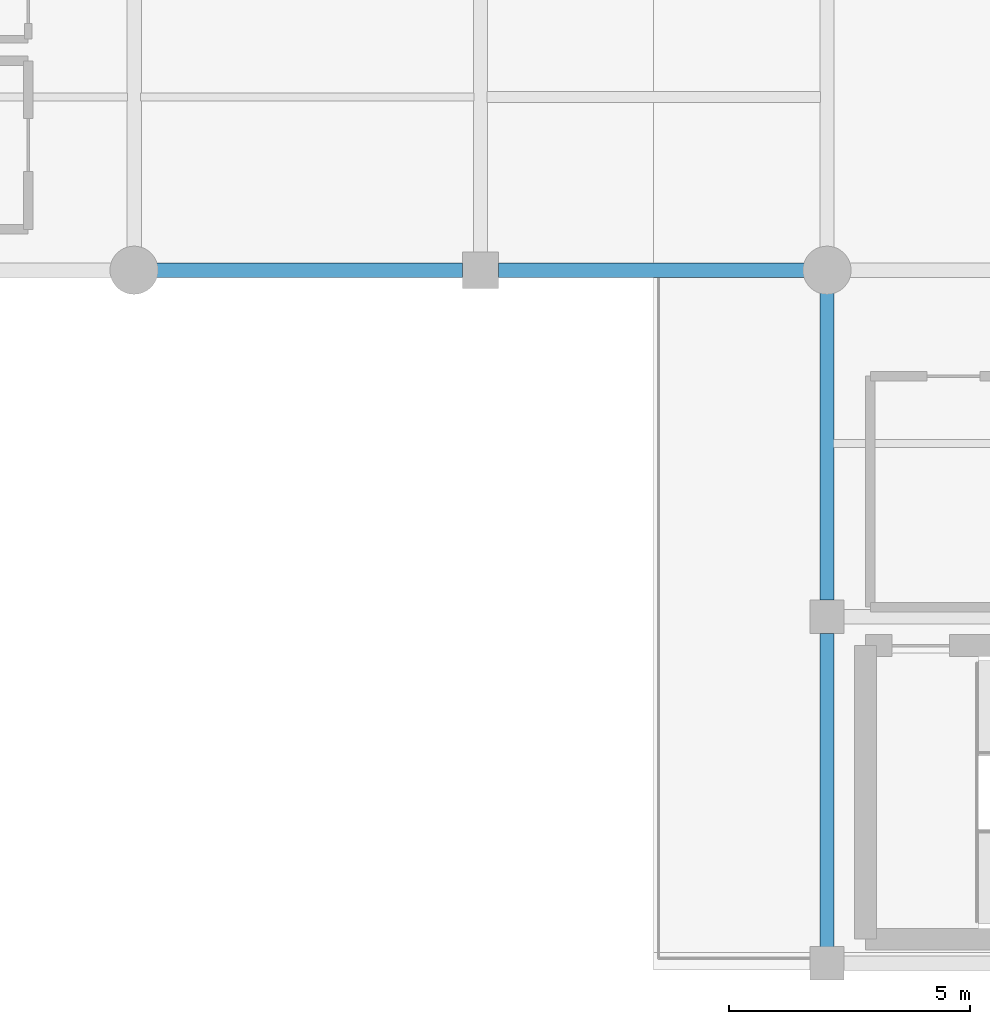
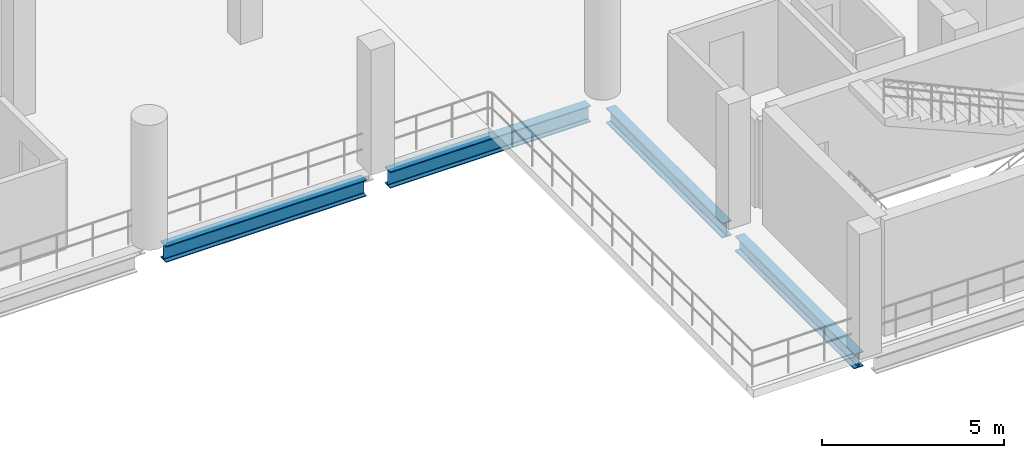
# One storey, part 19 of 130: 4 beams.
"""IFC4 building model written with IfcOpenShell, lengths in metres."""

from ifc_helpers import new_model, si_unit, direction, frame, origin, origin_2d, place, context, subcontext, project, spatial, i_section, extrude, material, material_profile, profile_set, type_object, element, save


model = new_model("IFC4")

# Units and contexts
model_context = context("Model", 3, precision=1e-05, world=origin(), true_north=direction((0.0, 1.0)))
body_context = subcontext(model_context, "Body", "Model", "MODEL_VIEW")
ifc_project = project(units=[si_unit("LENGTHUNIT", "METRE"), si_unit("AREAUNIT", "SQUARE_METRE"), si_unit("VOLUMEUNIT", "CUBIC_METRE"), si_unit("PLANEANGLEUNIT", "RADIAN"), si_unit("MASSUNIT", "GRAM", prefix="KILO")], contexts=[model_context])

# Site, building, storey
site_placement = place(None, origin())
site = spatial("IfcSite", under=ifc_project, at=site_placement, CompositionType="ELEMENT")
building_placement = place(site_placement, origin())
building = spatial("IfcBuilding", under=site, at=building_placement, Name="Qandorah Velis Arena", CompositionType="ELEMENT")
storey_placement = place(building_placement, frame((0.0, 0.0, 9.60009765625)))
storey = spatial("IfcBuildingStorey", under=building, at=storey_placement, Name="L02", CompositionType="ELEMENT", Elevation=9.60009765625)

# Beams
ifc_material = material(Name="Steel S355", Category="steel")
ifc_material_profile_1 = material_profile(ifc_material, i_section(OverallWidth=0.300048828125, OverallDepth=0.5, WebThickness=0.014404296875, FlangeThickness=0.028076171875, FilletRadius=0.027099609375, at=origin_2d()), Name="HEB 500")
ifc_profile_set_1 = profile_set([ifc_material_profile_1], Name="Steel S355")
beam_type_1 = type_object("IfcBeamType", Name="STR-BM-HEB500", PredefinedType="BEAM", material=ifc_profile_set_1)
beam_1_placement = place(storey_placement, frame((28.800048828125, 0.300048828125, -0.530029296875), z_axis=(0.0, 1.0, 0.0), x_axis=(-1.0, 0.0, 0.0)))
element("IfcBeam", 1, at=beam_1_placement, inside=storey, type_object=beam_type_1, Name="Primary floor girder L02 Y-240", PredefinedType="BEAM", context=body_context, shape_type="SweptSolid", body=[
    extrude(i_section(OverallWidth=0.300048828125, OverallDepth=0.5, WebThickness=0.014404296875, FlangeThickness=0.028076171875, FilletRadius=0.027099609375, at=origin_2d()), origin(), (0.0, 0.0, 1.0), 6.550048828125),
])
beam_2_placement = place(storey_placement, frame((28.800048828125, 7.550048828125, -0.530029296875), z_axis=(0.0, 1.0, 0.0), x_axis=(-1.0, 0.0, 0.0)))
element("IfcBeam", 2, at=beam_2_placement, inside=storey, type_object=beam_type_1, Name="Primary floor girder L02 Y-241", PredefinedType="BEAM", context=body_context, shape_type="SweptSolid", body=[
    extrude(i_section(OverallWidth=0.300048828125, OverallDepth=0.5, WebThickness=0.014404296875, FlangeThickness=0.028076171875, FilletRadius=0.027099609375, at=origin_2d()), origin(), (0.0, 0.0, 1.0), 6.39990234375),
])
ifc_material_profile_2 = material_profile(ifc_material, i_section(OverallWidth=0.300048828125, OverallDepth=0.550048828125, WebThickness=0.014892578125, FlangeThickness=0.029052734375, FilletRadius=0.027099609375, at=origin_2d()), Name="HEB 550")
ifc_profile_set_2 = profile_set([ifc_material_profile_2], Name="Steel S355")
beam_type_2 = type_object("IfcBeamType", Name="STR-BM-HEB550", PredefinedType="BEAM", material=ifc_profile_set_2)
for number, where, z_axis, x_axis, name in (
    (3, (14.85009765625, 14.39990234375, -0.55517578125), (1.0, 0.0, 0.0), (0.0, 1.0, 0.0), "Primary floor girder L02 X-027"),
    (4, (21.97509765625, 14.39990234375, -0.55517578125), (1.0, 0.0, 0.0), (0.0, 1.0, 0.0), "Primary floor girder L02 X-028"),
):
    element("IfcBeam", number, at=place(storey_placement, frame(where, z_axis=z_axis, x_axis=x_axis)), inside=storey, type_object=beam_type_2, Name=name, PredefinedType="BEAM", context=body_context, shape_type="SweptSolid", body=[
        extrude(i_section(OverallWidth=0.300048828125, OverallDepth=0.550048828125, WebThickness=0.014892578125, FlangeThickness=0.029052734375, FilletRadius=0.027099609375, at=origin_2d()), origin(), (0.0, 0.0, 1.0), 6.375),
    ])

save(model, "model.ifc")
